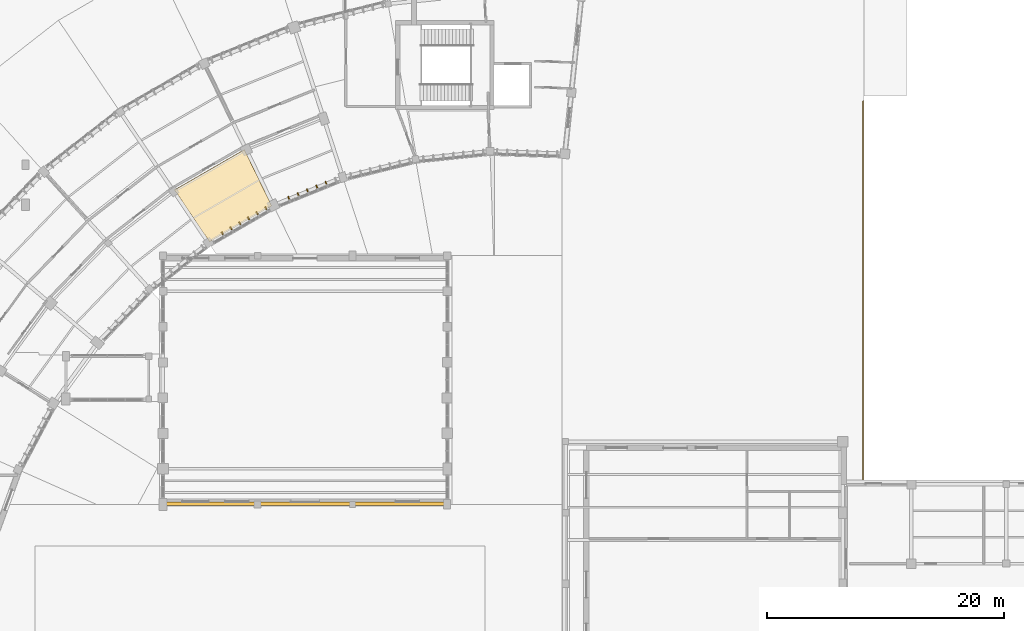
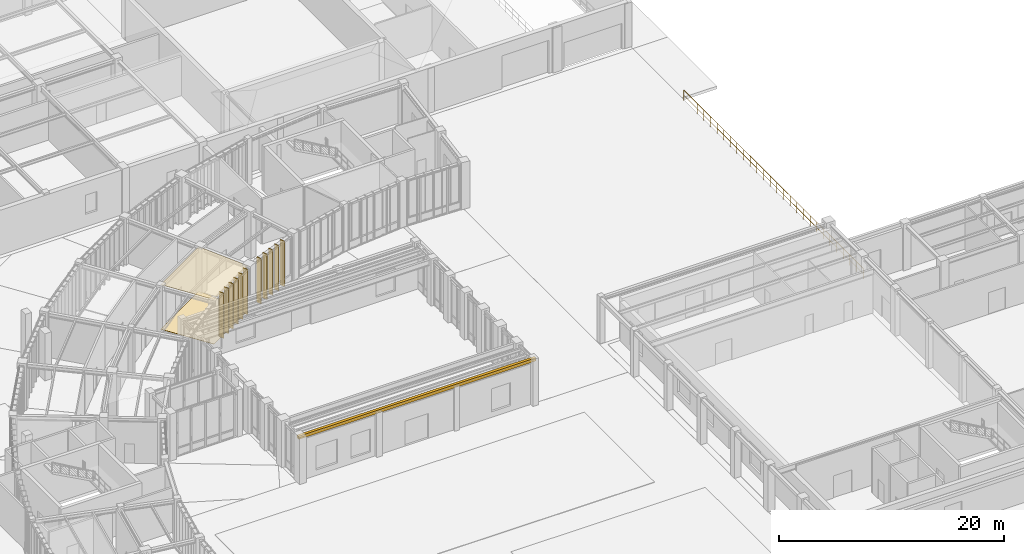
# One storey, part 61 of 68: 14 coverings, 1 railing.
"""IFC4 building model written with IfcOpenShell, lengths in metres."""

from ifc_helpers import new_model, si_unit, direction, frame, origin, origin_2d, place, context, subcontext, project, spatial, polyline, rectangle, circle, outline, extrude, material, layer, layer_set, type_object, element, save


model = new_model("IFC4")

# Units and contexts
model_context = context("Model", 3, precision=1e-05, world=origin(), true_north=direction((0.0, 1.0)))
body_context = subcontext(model_context, "Body", "Model", "MODEL_VIEW")
ifc_project = project(units=[si_unit("LENGTHUNIT", "METRE"), si_unit("AREAUNIT", "SQUARE_METRE"), si_unit("VOLUMEUNIT", "CUBIC_METRE"), si_unit("PLANEANGLEUNIT", "RADIAN"), si_unit("MASSUNIT", "GRAM", prefix="KILO"), si_unit("THERMODYNAMICTEMPERATUREUNIT", "KELVIN"), si_unit("POWERUNIT", "WATT")], contexts=[model_context])

# Site, building, storey
site_placement = place(None, origin())
site = spatial("IfcSite", under=ifc_project, at=site_placement, CompositionType="ELEMENT")
building_placement = place(site_placement, origin())
building = spatial("IfcBuilding", under=site, at=building_placement, Name="Solvatero Civic Police Headquarters", CompositionType="ELEMENT")
storey_placement = place(building_placement, origin())
storey = spatial("IfcBuildingStorey", under=building, at=storey_placement, Name="L00", CompositionType="ELEMENT", Elevation=0.0)

# Coverings
ifc_material_1 = material(Name="Mineral-Fibre Acoustic Tile", Category="gypsum")
ifc_layer_1 = layer(ifc_material_1, 0.02490234375)
ifc_layer_set_1 = layer_set([ifc_layer_1], Name="Mineral-Fibre Acoustic Tile")
covering_type_1 = type_object("IfcCoveringType", Name="COV-CEIL-AC", PredefinedType="CEILING", material=ifc_layer_set_1)
covering_1_placement = place(storey_placement, frame((0.0, 0.0, 4.85498046875)))
element("IfcCovering", 1, at=covering_1_placement, inside=storey, type_object=covering_type_1, Name="Acoustic Ceiling Public Inquiry Reception Bay 5", PredefinedType="CEILING", context=body_context, shape_type="SweptSolid", body=[
    extrude(outline(polyline([(68.7333984375, 63.673828125), (65.775634765625, 68.058837890625), (71.670654296875, 71.46240234375), (73.989501953125, 66.70849609375), (68.7333984375, 63.673828125)])), origin(), (0.0, 0.0, 1.0), 0.02490234375),
])
ifc_material_2 = material(Name="Anodized Bronze Aluminium", Category="aluminium")
ifc_layer_2 = layer(ifc_material_2, 0.080078125)
ifc_layer_set_2 = layer_set([ifc_layer_2], Name="Anodized Bronze Aluminium")
covering_type_2 = type_object("IfcCoveringType", Name="COV-FIN-480", PredefinedType="CLADDING", material=ifc_layer_set_2)
for number, where, z_axis, x_axis, name in (
    (2, (78.61181640625, 68.55419921875, -0.02001953125), (0.0, 0.0, 1.0), (-0.927183854567, -0.374606593416, 0.0), "Vertical Brise-Soleil Fin 0041"),
    (3, (77.82373046875, 68.23583984375, -0.02001953125), (0.0, 0.0, 1.0), (-0.927183854567, -0.374606593416, 0.0), "Vertical Brise-Soleil Fin 0042"),
    (4, (77.03564453125, 67.91748046875, -0.02001953125), (0.0, 0.0, 1.0), (-0.927183854567, -0.374606593416, 0.0), "Vertical Brise-Soleil Fin 0043"),
    (5, (76.24755859375, 67.59912109375, -0.02001953125), (0.0, 0.0, 1.0), (-0.927183854567, -0.374606593416, 0.0), "Vertical Brise-Soleil Fin 0044"),
    (6, (75.45947265625, 67.280517578125, -0.02001953125), (0.0, 0.0, 1.0), (-0.927183854567, -0.374606593416, 0.0), "Vertical Brise-Soleil Fin 0045"),
    (7, (73.5537109375, 66.4111328125, -0.02001953125), (0.0, 0.0, 1.0), (-0.866025403784, -0.5, 0.0), "Vertical Brise-Soleil Fin 0055"),
    (8, (72.817626953125, 65.986083984375, -0.02001953125), (0.0, 0.0, 1.0), (-0.866025403784, -0.5, 0.0), "Vertical Brise-Soleil Fin 0056"),
    (9, (72.081298828125, 65.56103515625, -0.02001953125), (0.0, 0.0, 1.0), (-0.866025403784, -0.5, 0.0), "Vertical Brise-Soleil Fin 0057"),
    (10, (71.34521484375, 65.135986328125, -0.02001953125), (0.0, 0.0, 1.0), (-0.866025403784, -0.5, 0.0), "Vertical Brise-Soleil Fin 0058"),
    (11, (70.609130859375, 64.711181640625, -0.02001953125), (0.0, 0.0, 1.0), (-0.866025403784, -0.5, 0.0), "Vertical Brise-Soleil Fin 0059"),
    (12, (69.873046875, 64.2861328125, -0.02001953125), (0.0, 0.0, 1.0), (-0.866025403784, -0.5, 0.0), "Vertical Brise-Soleil Fin 0060"),
):
    element("IfcCovering", number, at=place(storey_placement, frame(where, z_axis=z_axis, x_axis=x_axis)), inside=storey, type_object=covering_type_2, Name=name, PredefinedType="CLADDING", context=body_context, shape_type="SweptSolid", body=[
        extrude(rectangle(XDim=0.080078125, YDim=0.47998046875, at=origin_2d()), origin(), (0.0, 0.0, 1.0), 4.919921875),
    ])
ifc_material_3 = material(Name="Venetian Terrazzo Stone", Category="masonry")
ifc_layer_3 = layer(ifc_material_3, 0.034912109375)
ifc_layer_set_3 = layer_set([ifc_layer_3], Name="Venetian Terrazzo Stone")
covering_type_3 = type_object("IfcCoveringType", Name="COV-FLR-TER", PredefinedType="FLOORING", material=ifc_layer_set_3)
covering_2_placement = place(storey_placement, origin())
element("IfcCovering", 13, at=covering_2_placement, inside=storey, type_object=covering_type_3, Name="Flooring Public Inquiry Reception Bay 5", PredefinedType="FLOORING", context=body_context, shape_type="SweptSolid", body=[
    extrude(outline(polyline([(68.7333984375, 63.673828125), (65.775634765625, 68.058837890625), (71.670654296875, 71.46240234375), (73.989501953125, 66.70849609375), (68.7333984375, 63.673828125)])), origin(), (0.0, 0.0, 1.0), 0.034912109375),
])
ifc_material_4 = material(Name="Cream Limestone Ashlar", Category="masonry")
ifc_layer_4 = layer(ifc_material_4, 0.10009765625)
ifc_layer_set_4 = layer_set([ifc_layer_4], Name="Cream Limestone Ashlar")
covering_type_4 = type_object("IfcCoveringType", Name="COV-TRIM-STONE", PredefinedType="CLADDING", material=ifc_layer_set_4)
covering_3_placement = place(storey_placement, frame((76.800048828125, 41.550048828125, 4.60986328125), z_axis=(0.0, 0.0, 1.0), x_axis=(1.0, 0.0, 0.0)))
element("IfcCovering", 14, at=covering_3_placement, inside=storey, type_object=covering_type_4, Name="Classical Limestone Trim TRIM-V2-L00-S", PredefinedType="CLADDING", context=body_context, shape_type="SweptSolid", body=[
    extrude(rectangle(XDim=24.39990234375, YDim=0.280029296875, at=origin_2d()), origin(), (0.0, 0.0, 1.0), 0.340087890625),
])

# Railing
ifc_material_5 = material(Name="Anodized Bronze and Laminated Glass", Category="glass")
railing_type = type_object("IfcRailingType", Name="RL-BAL-115", PredefinedType="BALUSTRADE", material=ifc_material_5)
railing_placement = place(storey_placement, frame((123.919921875, 43.60009765625, 0.0)))
element("IfcRailing", 15, at=railing_placement, inside=storey, type_object=railing_type, Name="Glazed Facade Sill Balustrade RL-L00-COURT-NE", PredefinedType="BALUSTRADE", context=body_context, shape_type="SweptSolid", body=[
    extrude(circle(Radius=0.02392578125, at=origin_2d()), frame((0.0, 0.0, 1.1259765625), z_axis=(0.0, 1.0, 0.0), x_axis=(-1.0, 0.0, 0.0)), (0.0, 0.0, 1.0), 31.949951171875),
    extrude(circle(Radius=0.02392578125, at=origin_2d()), frame((0.0, 0.0, 0.55078125), z_axis=(0.0, 1.0, 0.0), x_axis=(-1.0, 0.0, 0.0)), (0.0, 0.0, 1.0), 31.949951171875),
    extrude(circle(Radius=0.02099609375, at=origin_2d()), origin(), (0.0, 0.0, 1.0), 1.101806640625),
    extrude(circle(Radius=0.02099609375, at=origin_2d()), frame((0.0, 1.183349609375, 0.0)), (0.0, 0.0, 1.0), 1.101806640625),
    extrude(circle(Radius=0.02099609375, at=origin_2d()), frame((0.0, 2.36669921875, 0.0)), (0.0, 0.0, 1.0), 1.101806640625),
    extrude(circle(Radius=0.02099609375, at=origin_2d()), frame((0.0, 3.550048828125, 0.0)), (0.0, 0.0, 1.0), 1.101806640625),
    extrude(circle(Radius=0.02099609375, at=origin_2d()), frame((0.0, 4.7333984375, 0.0)), (0.0, 0.0, 1.0), 1.101806640625),
    extrude(circle(Radius=0.02099609375, at=origin_2d()), frame((0.0, 5.916748046875, 0.0)), (0.0, 0.0, 1.0), 1.101806640625),
    extrude(circle(Radius=0.02099609375, at=origin_2d()), frame((0.0, 7.10009765625, 0.0)), (0.0, 0.0, 1.0), 1.101806640625),
    extrude(circle(Radius=0.02099609375, at=origin_2d()), frame((0.0, 8.283203125, 0.0)), (0.0, 0.0, 1.0), 1.101806640625),
    extrude(circle(Radius=0.02099609375, at=origin_2d()), frame((0.0, 9.466552734375, 0.0)), (0.0, 0.0, 1.0), 1.101806640625),
    extrude(circle(Radius=0.02099609375, at=origin_2d()), frame((0.0, 10.64990234375, 0.0)), (0.0, 0.0, 1.0), 1.101806640625),
    extrude(circle(Radius=0.02099609375, at=origin_2d()), frame((0.0, 11.833251953125, 0.0)), (0.0, 0.0, 1.0), 1.101806640625),
    extrude(circle(Radius=0.02099609375, at=origin_2d()), frame((0.0, 13.0166015625, 0.0)), (0.0, 0.0, 1.0), 1.101806640625),
    extrude(circle(Radius=0.02099609375, at=origin_2d()), frame((0.0, 14.199951171875, 0.0)), (0.0, 0.0, 1.0), 1.101806640625),
    extrude(circle(Radius=0.02099609375, at=origin_2d()), frame((0.0, 15.38330078125, 0.0)), (0.0, 0.0, 1.0), 1.101806640625),
    extrude(circle(Radius=0.02099609375, at=origin_2d()), frame((0.0, 16.566650390625, 0.0)), (0.0, 0.0, 1.0), 1.101806640625),
    extrude(circle(Radius=0.02099609375, at=origin_2d()), frame((0.0, 17.75, 0.0)), (0.0, 0.0, 1.0), 1.101806640625),
    extrude(circle(Radius=0.02099609375, at=origin_2d()), frame((0.0, 18.933349609375, 0.0)), (0.0, 0.0, 1.0), 1.101806640625),
    extrude(circle(Radius=0.02099609375, at=origin_2d()), frame((0.0, 20.11669921875, 0.0)), (0.0, 0.0, 1.0), 1.101806640625),
    extrude(circle(Radius=0.02099609375, at=origin_2d()), frame((0.0, 21.300048828125, 0.0)), (0.0, 0.0, 1.0), 1.101806640625),
    extrude(circle(Radius=0.02099609375, at=origin_2d()), frame((0.0, 22.4833984375, 0.0)), (0.0, 0.0, 1.0), 1.101806640625),
    extrude(circle(Radius=0.02099609375, at=origin_2d()), frame((0.0, 23.666748046875, 0.0)), (0.0, 0.0, 1.0), 1.101806640625),
    extrude(circle(Radius=0.02099609375, at=origin_2d()), frame((0.0, 24.849853515625, 0.0)), (0.0, 0.0, 1.0), 1.101806640625),
    extrude(circle(Radius=0.02099609375, at=origin_2d()), frame((0.0, 26.033203125, 0.0)), (0.0, 0.0, 1.0), 1.101806640625),
    extrude(circle(Radius=0.02099609375, at=origin_2d()), frame((0.0, 27.216552734375, 0.0)), (0.0, 0.0, 1.0), 1.101806640625),
    extrude(circle(Radius=0.02099609375, at=origin_2d()), frame((0.0, 28.39990234375, 0.0)), (0.0, 0.0, 1.0), 1.101806640625),
    extrude(circle(Radius=0.02099609375, at=origin_2d()), frame((0.0, 29.583251953125, 0.0)), (0.0, 0.0, 1.0), 1.101806640625),
    extrude(circle(Radius=0.02099609375, at=origin_2d()), frame((0.0, 30.7666015625, 0.0)), (0.0, 0.0, 1.0), 1.101806640625),
    extrude(circle(Radius=0.02099609375, at=origin_2d()), frame((0.0, 31.949951171875, 0.0)), (0.0, 0.0, 1.0), 1.101806640625),
])

save(model, "model.ifc")
